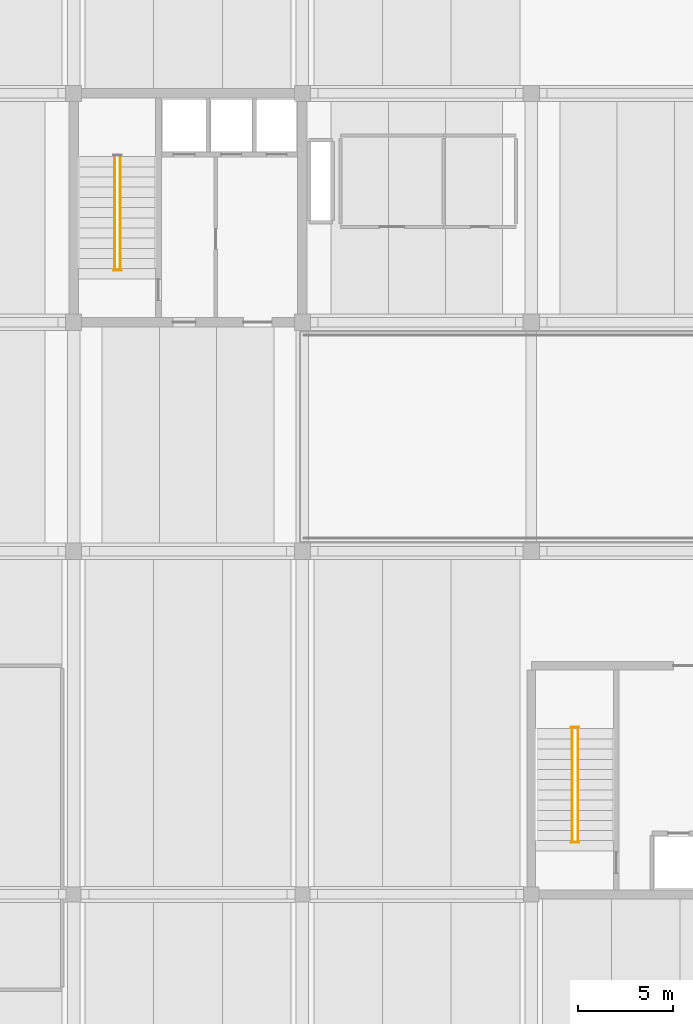
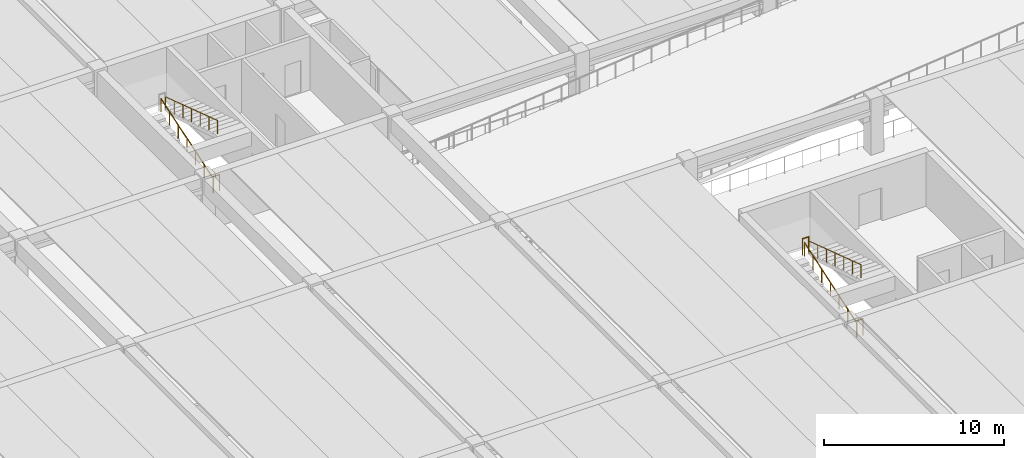
# One storey, part 17 of 21: 7 railings.
"""IFC4 building model written with IfcOpenShell, lengths in metres."""

import ifcopenshell
import ifcopenshell.guid

model = None  # the IFC model being written
_history = None  # IfcOwnerHistory: only IFC2X3 demands one
_inside = {}  # id of a spatial element -> (the spatial element, [elements in it])
_under = {}  # id of a project, library or spatial element -> (it, [spatial elements below it])
_declared = {}  # id of a project -> (the project, [libraries it declares])
_typed = {}  # id of a type object -> (the type object, [elements of that type])
_made_of = {}  # id of a material, layer set ... -> (it, [elements and type objects made of it])


def new_model(schema):
    """Start an empty IFC model of exactly this schema.

    Asked for "IFC4X3", IfcOpenShell would pick the latest addendum, in which some entities
    have other attributes; the version numbers below select the first issue.
    IFC2X3 requires an IfcOwnerHistory on every rooted entity: one is made here for all.
    """
    global model, _history
    if schema == "IFC4X3":
        model = ifcopenshell.file(schema_version=(4, 3, 0, 0))
    else:
        model = ifcopenshell.file(schema=schema)
    _inside.clear()
    _under.clear()
    _declared.clear()
    _typed.clear()
    _made_of.clear()
    _history = None
    if model.schema == "IFC2X3":
        org = make("IfcOrganization", Name="unknown")
        user = make(
            "IfcPersonAndOrganization",
            ThePerson=make("IfcPerson", FamilyName="unknown"),
            TheOrganization=org,
        )
        app = make(
            "IfcApplication",
            ApplicationDeveloper=org,
            Version="unknown",
            ApplicationFullName="unknown",
            ApplicationIdentifier="unknown",
        )
        _history = make(
            "IfcOwnerHistory",
            OwningUser=user,
            OwningApplication=app,
            ChangeAction="ADDED",
            CreationDate=0,
        )
    return model


def make(cls, **values):
    """One entity of the class cls with the attributes given. An attribute that is None is left unset."""
    return model.create_entity(
        cls, **{name: value for name, value in values.items() if value is not None}
    )


def rooted(cls, **values):
    """An entity with a GlobalId (a new one), such as an element, a storey or a relation."""
    return make(cls, GlobalId=ifcopenshell.guid.new(), OwnerHistory=_history, **values)


def si_unit(unit_type, name, prefix=None):
    """IfcSIUnit, for example si_unit("LENGTHUNIT", "METRE", prefix="MILLI")."""
    return make("IfcSIUnit", UnitType=unit_type, Prefix=prefix, Name=name)


def assignment(units):
    """IfcUnitAssignment: the units of a project."""
    return None if units is None else make("IfcUnitAssignment", Units=units)


def point(xyz):
    """IfcCartesianPoint."""
    return None if xyz is None else make("IfcCartesianPoint", Coordinates=xyz)


def direction(xyz):
    """IfcDirection."""
    return None if xyz is None else make("IfcDirection", DirectionRatios=xyz)


def frame(location, z_axis=None, x_axis=None):
    """IfcAxis2Placement3D, a coordinate frame: its origin and axes. An axis left out is left unset."""
    return make(
        "IfcAxis2Placement3D",
        Location=point(location),
        Axis=direction(z_axis),
        RefDirection=direction(x_axis),
    )


def frame_2d(location, x_axis=None):
    """IfcAxis2Placement2D, a coordinate frame in the plane: its origin and x axis."""
    return make(
        "IfcAxis2Placement2D", Location=point(location), RefDirection=direction(x_axis)
    )


def origin():
    """The frame at (0, 0, 0) with its axes left unset."""
    return frame((0.0, 0.0, 0.0))


def origin_2d():
    """The frame at (0, 0) in the plane with its x axis left unset."""
    return frame_2d((0.0, 0.0))


def place(relative_to, where):
    """IfcLocalPlacement: puts the frame where relative to a parent placement (None: the world)."""
    return make(
        "IfcLocalPlacement", PlacementRelTo=relative_to, RelativePlacement=where
    )


def context(
    kind, dimensions, precision=None, world=None, true_north=None, identifier=None
):
    """IfcGeometricRepresentationContext, for example the 3D "Model" context."""
    return make(
        "IfcGeometricRepresentationContext",
        ContextIdentifier=identifier,
        ContextType=kind,
        CoordinateSpaceDimension=dimensions,
        Precision=precision,
        WorldCoordinateSystem=world,
        TrueNorth=true_north,
    )


def subcontext(parent, identifier, kind, view, scale=None):
    """IfcGeometricRepresentationSubContext, for example "Body" below "Model"."""
    return make(
        "IfcGeometricRepresentationSubContext",
        ContextIdentifier=identifier,
        ContextType=kind,
        ParentContext=parent,
        TargetScale=scale,
        TargetView=view,
    )


def project(units=None, contexts=None):
    """IfcProject with its units and contexts."""
    return rooted(
        "IfcProject",
        Name="project",
        RepresentationContexts=contexts,
        UnitsInContext=assignment(units),
    )


def spatial(cls, under=None, at=None, **own):
    """A site, building, storey or space (cls), placed at a placement, below another one or the project."""
    s = rooted(cls, ObjectPlacement=at, **own)
    if under is not None:
        _under.setdefault(under.id(), (under, []))[1].append(s)
    return s


def profile(cls, at=None, kind="AREA", **sizes):
    """A parametric profile (cls). Its sizes go by their IFC names, for example OverallWidth=200.0."""
    return make(cls, ProfileType=kind, Position=at, **sizes)


def circle(**sizes):
    """IfcCircleProfileDef."""
    return profile("IfcCircleProfileDef", **sizes)


def extrude(swept, where, along, depth):
    """IfcExtrudedAreaSolid: the profile swept, set in the frame where, extruded along a direction by depth."""
    return make(
        "IfcExtrudedAreaSolid",
        SweptArea=swept,
        Position=where,
        ExtrudedDirection=direction(along),
        Depth=depth,
    )


def shape(context_of_items, identifier, shape_type, items):
    """IfcShapeRepresentation: the items that make up one representation, for example the "Body"."""
    return make(
        "IfcShapeRepresentation",
        ContextOfItems=context_of_items,
        RepresentationIdentifier=identifier,
        RepresentationType=shape_type,
        Items=items,
    )


def material(Name=None, Category=None):
    """IfcMaterial."""
    return make("IfcMaterial", Name=Name, Category=Category)


def layer(
    of_material, thickness, ventilated=None, Name=None, Category=None, Priority=None
):
    """IfcMaterialLayer: one layer of a wall or slab, of a material (None: an air gap)."""
    return make(
        "IfcMaterialLayer",
        Material=of_material,
        LayerThickness=thickness,
        IsVentilated=ventilated,
        Name=Name,
        Category=Category,
        Priority=Priority,
    )


def layer_set(layers, Name=None):
    """IfcMaterialLayerSet."""
    return make("IfcMaterialLayerSet", MaterialLayers=layers, LayerSetName=Name)


def made_of(thing, what):
    """Note that an element or type object is made of a material, layer set ...; save() writes the relation."""
    if what is not None:
        _made_of.setdefault(what.id(), (what, []))[1].append(thing)
    return thing


def type_object(cls, material=None, **own):
    """A type object (cls), such as IfcWallType, which elements share."""
    return made_of(rooted(cls, **own), material)


def element(
    cls,
    number,
    at=None,
    inside=None,
    cuts=None,
    type_object=None,
    material=None,
    context=None,
    identifier="Body",
    shape_type=None,
    held_by="IfcProductDefinitionShape",
    body=None,
    shapes=None,
    **own,
):
    """One element of the class cls, such as IfcWall. Its Tag is "e" and its number.

    at: its placement. inside: the storey or other place that contains it. cuts: it is an
    opening in that element (IfcRelVoidsElement). A single representation is given by context,
    identifier, shape_type and body (its items); several are given by shapes. held_by: the class
    of the entity that holds the representations. save() writes the other relations.
    """
    e = rooted(cls, Tag="e%d" % number, ObjectPlacement=at, **own)
    if body is not None:
        shapes = [shape(context, identifier, shape_type, body)]
    if shapes is not None:
        e.Representation = make(held_by, Representations=shapes)
    if inside is not None:
        _inside.setdefault(inside.id(), (inside, []))[1].append(e)
    if cuts is not None:
        rooted(
            "IfcRelVoidsElement", RelatingBuildingElement=cuts, RelatedOpeningElement=e
        )
    if type_object is not None:
        _typed.setdefault(type_object.id(), (type_object, []))[1].append(e)
    return made_of(e, material)


def aggregate(whole, parts):
    """IfcRelAggregates: a whole, such as a stair, and the parts it consists of."""
    return rooted("IfcRelAggregates", RelatingObject=whole, RelatedObjects=parts)


def save(model, path):
    """Write the relations noted so far, then the file.

    IfcRelAggregates (storeys below a building ...), IfcRelContainedInSpatialStructure (elements
    in a storey), IfcRelDefinesByType, IfcRelAssociatesMaterial and IfcRelDeclares: one each for
    every whole, place, type object, material and project.
    """
    for whole, parts in _under.values():
        aggregate(whole, parts)
    for where, things in _inside.values():
        rooted(
            "IfcRelContainedInSpatialStructure",
            RelatedElements=things,
            RelatingStructure=where,
        )
    for kind, things in _typed.values():
        rooted("IfcRelDefinesByType", RelatedObjects=things, RelatingType=kind)
    for what, things in _made_of.values():
        rooted("IfcRelAssociatesMaterial", RelatedObjects=things, RelatingMaterial=what)
    for by, libraries in _declared.values():
        rooted("IfcRelDeclares", RelatingContext=by, RelatedDefinitions=libraries)
    model.write(path)


model = new_model("IFC4")

# Units and contexts
model_context = context("Model", 3, precision=1e-05, world=origin(), true_north=direction((0.0, 1.0)))
body_context = subcontext(model_context, "Body", "Model", "MODEL_VIEW")
ifc_project = project(units=[si_unit("LENGTHUNIT", "METRE"), si_unit("AREAUNIT", "SQUARE_METRE"), si_unit("VOLUMEUNIT", "CUBIC_METRE"), si_unit("PLANEANGLEUNIT", "RADIAN"), si_unit("MASSUNIT", "GRAM", prefix="KILO")], contexts=[model_context])

# Site, building, storey
site_placement = place(None, origin())
site = spatial("IfcSite", under=ifc_project, at=site_placement, CompositionType="ELEMENT")
building_placement = place(site_placement, origin())
building = spatial("IfcBuilding", under=site, at=building_placement, Name="Girod Span Mobility Hub", CompositionType="ELEMENT")
storey_placement = place(building_placement, frame((0.0, 0.0, 17.199951171875)))
storey = spatial("IfcBuildingStorey", under=building, at=storey_placement, Name="L04", CompositionType="ELEMENT", Elevation=17.199951171875)

# Railings
ifc_material_1 = material(Name="Painted Galvanised Steel", Category="steel")
ifc_layer_1 = layer(ifc_material_1, 0.06494140625)
ifc_layer_set_1 = layer_set([ifc_layer_1], Name="Painted Galvanised Steel")
railing_type_1 = type_object("IfcRailingType", Name="RL-GRD-1120", PredefinedType="GUARDRAIL", material=ifc_layer_set_1)
for number, where, name in (
    (1, (50.10009765625, 59.72998046875, 0.0), "Stair ST-1 Landing Well Guard L04"),
    (2, (74.10009765625, 35.77001953125, 1.900146484375), "Stair ST-3 Half-Landing Well Guard L04"),
    (3, (74.10009765625, 29.72998046875, 0.0), "Stair ST-3 Landing Well Guard L04"),
):
    element("IfcRailing", number, at=place(storey_placement, frame(where)), inside=storey, type_object=railing_type_1, Name=name, PredefinedType="GUARDRAIL", context=body_context, shape_type="SweptSolid", body=[
        extrude(circle(Radius=0.02392578125, at=origin_2d()), frame((0.0, 0.0, 1.09619140625), z_axis=(1.0, 0.0, 0.0), x_axis=(0.0, 1.0, 0.0)), (0.0, 0.0, 1.0), 0.39990234375),
        extrude(circle(Radius=0.02099609375, at=origin_2d()), origin(), (0.0, 0.0, 1.0), 1.072021484375),
        extrude(circle(Radius=0.02099609375, at=origin_2d()), frame((0.39990234375, 0.0, 0.0)), (0.0, 0.0, 1.0), 1.072021484375),
    ])
ifc_material_2 = material(Name="Painted Galvanised Steel", Category="steel")
ifc_layer_2 = layer(ifc_material_2, 0.050048828125)
ifc_layer_set_2 = layer_set([ifc_layer_2], Name="Painted Galvanised Steel")
railing_type_2 = type_object("IfcRailingType", Name="RL-HR-920", PredefinedType="HANDRAIL", material=ifc_layer_set_2)
railing_1_placement = place(storey_placement, frame((50.14990234375, 59.860107421875, 0.0)))
element("IfcRailing", 4, at=railing_1_placement, inside=storey, type_object=railing_type_2, Name="Stair ST-1 Flight 1 Handrail L04", PredefinedType="HANDRAIL", context=body_context, shape_type="SweptSolid", body=[
    extrude(circle(Radius=0.02392578125, at=origin_2d()), frame((0.0, 0.0, 0.89599609375), z_axis=(0.0, 0.949979375482, 0.31231264169), x_axis=(-1.0, 0.0, 0.0)), (0.0, 0.0, 1.0), 6.084228515625),
    extrude(circle(Radius=0.02099609375, at=origin_2d()), origin(), (0.0, 0.0, 1.0), 0.871826171875),
    extrude(circle(Radius=0.02099609375, at=origin_2d()), frame((0.0, 0.96337890625, 0.316650390625)), (0.0, 0.0, 1.0), 0.871826171875),
    extrude(circle(Radius=0.02099609375, at=origin_2d()), frame((0.0, 1.926513671875, 0.63330078125)), (0.0, 0.0, 1.0), 0.871826171875),
    extrude(circle(Radius=0.02099609375, at=origin_2d()), frame((0.0, 2.889892578125, 0.9501953125)), (0.0, 0.0, 1.0), 0.871826171875),
    extrude(circle(Radius=0.02099609375, at=origin_2d()), frame((0.0, 3.853271484375, 1.266845703125)), (0.0, 0.0, 1.0), 0.871826171875),
    extrude(circle(Radius=0.02099609375, at=origin_2d()), frame((0.0, 4.81640625, 1.58349609375)), (0.0, 0.0, 1.0), 0.871826171875),
    extrude(circle(Radius=0.02099609375, at=origin_2d()), frame((0.0, 5.77978515625, 1.900146484375)), (0.0, 0.0, 1.0), 0.871826171875),
])
railing_2_placement = place(storey_placement, frame((50.449951171875, 65.639892578125, 1.900146484375)))
element("IfcRailing", 5, at=railing_2_placement, inside=storey, type_object=railing_type_2, Name="Stair ST-1 Flight 2 Handrail L04", PredefinedType="HANDRAIL", context=body_context, shape_type="SweptSolid", body=[
    extrude(circle(Radius=0.02392578125, at=origin_2d()), frame((0.0, 0.0, 0.89599609375), z_axis=(0.0, -0.949991280403, 0.312276427477), x_axis=(1.0, 0.0, 0.0)), (0.0, 0.0, 1.0), 6.083984375),
    extrude(circle(Radius=0.02099609375, at=origin_2d()), origin(), (0.0, 0.0, 1.0), 0.871826171875),
    extrude(circle(Radius=0.02099609375, at=origin_2d()), frame((0.0, -0.96337890625, 0.316650390625)), (0.0, 0.0, 1.0), 0.871826171875),
    extrude(circle(Radius=0.02099609375, at=origin_2d()), frame((0.0, -1.926513671875, 0.63330078125)), (0.0, 0.0, 1.0), 0.871826171875),
    extrude(circle(Radius=0.02099609375, at=origin_2d()), frame((0.0, -2.889892578125, 0.949951171875)), (0.0, 0.0, 1.0), 0.871826171875),
    extrude(circle(Radius=0.02099609375, at=origin_2d()), frame((0.0, -3.853271484375, 1.2666015625)), (0.0, 0.0, 1.0), 0.871826171875),
    extrude(circle(Radius=0.02099609375, at=origin_2d()), frame((0.0, -4.81640625, 1.583251953125)), (0.0, 0.0, 1.0), 0.871826171875),
    extrude(circle(Radius=0.02099609375, at=origin_2d()), frame((0.0, -5.77978515625, 1.89990234375)), (0.0, 0.0, 1.0), 0.871826171875),
])
railing_3_placement = place(storey_placement, frame((74.14990234375, 29.860107421875, 0.0)))
element("IfcRailing", 6, at=railing_3_placement, inside=storey, type_object=railing_type_2, Name="Stair ST-3 Flight 1 Handrail L04", PredefinedType="HANDRAIL", context=body_context, shape_type="SweptSolid", body=[
    extrude(circle(Radius=0.02392578125, at=origin_2d()), frame((0.0, 0.0, 0.89599609375), z_axis=(0.0, 0.949979375482, 0.31231264169), x_axis=(-1.0, 0.0, 0.0)), (0.0, 0.0, 1.0), 6.084228515625),
    extrude(circle(Radius=0.02099609375, at=origin_2d()), origin(), (0.0, 0.0, 1.0), 0.871826171875),
    extrude(circle(Radius=0.02099609375, at=origin_2d()), frame((0.0, 0.96337890625, 0.316650390625)), (0.0, 0.0, 1.0), 0.871826171875),
    extrude(circle(Radius=0.02099609375, at=origin_2d()), frame((0.0, 1.926513671875, 0.63330078125)), (0.0, 0.0, 1.0), 0.871826171875),
    extrude(circle(Radius=0.02099609375, at=origin_2d()), frame((0.0, 2.889892578125, 0.9501953125)), (0.0, 0.0, 1.0), 0.871826171875),
    extrude(circle(Radius=0.02099609375, at=origin_2d()), frame((0.0, 3.853271484375, 1.266845703125)), (0.0, 0.0, 1.0), 0.871826171875),
    extrude(circle(Radius=0.02099609375, at=origin_2d()), frame((0.0, 4.81640625, 1.58349609375)), (0.0, 0.0, 1.0), 0.871826171875),
    extrude(circle(Radius=0.02099609375, at=origin_2d()), frame((0.0, 5.77978515625, 1.900146484375)), (0.0, 0.0, 1.0), 0.871826171875),
])
railing_4_placement = place(storey_placement, frame((74.449951171875, 35.639892578125, 1.900146484375)))
element("IfcRailing", 7, at=railing_4_placement, inside=storey, type_object=railing_type_2, Name="Stair ST-3 Flight 2 Handrail L04", PredefinedType="HANDRAIL", context=body_context, shape_type="SweptSolid", body=[
    extrude(circle(Radius=0.02392578125, at=origin_2d()), frame((0.0, 0.0, 0.89599609375), z_axis=(0.0, -0.949991280403, 0.312276427477), x_axis=(1.0, 0.0, 0.0)), (0.0, 0.0, 1.0), 6.083984375),
    extrude(circle(Radius=0.02099609375, at=origin_2d()), origin(), (0.0, 0.0, 1.0), 0.871826171875),
    extrude(circle(Radius=0.02099609375, at=origin_2d()), frame((0.0, -0.96337890625, 0.316650390625)), (0.0, 0.0, 1.0), 0.871826171875),
    extrude(circle(Radius=0.02099609375, at=origin_2d()), frame((0.0, -1.926513671875, 0.63330078125)), (0.0, 0.0, 1.0), 0.871826171875),
    extrude(circle(Radius=0.02099609375, at=origin_2d()), frame((0.0, -2.889892578125, 0.949951171875)), (0.0, 0.0, 1.0), 0.871826171875),
    extrude(circle(Radius=0.02099609375, at=origin_2d()), frame((0.0, -3.853271484375, 1.2666015625)), (0.0, 0.0, 1.0), 0.871826171875),
    extrude(circle(Radius=0.02099609375, at=origin_2d()), frame((0.0, -4.81640625, 1.583251953125)), (0.0, 0.0, 1.0), 0.871826171875),
    extrude(circle(Radius=0.02099609375, at=origin_2d()), frame((0.0, -5.77978515625, 1.89990234375)), (0.0, 0.0, 1.0), 0.871826171875),
])

save(model, "model.ifc")
